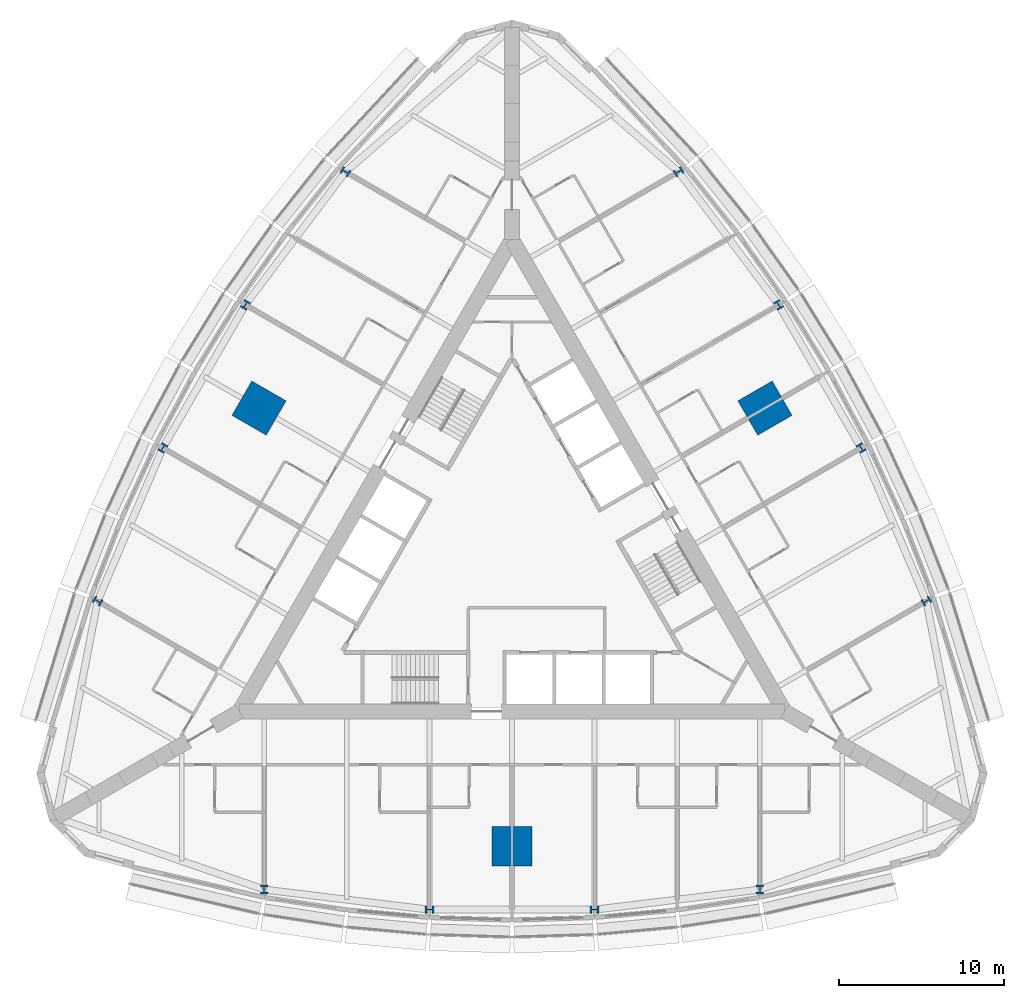
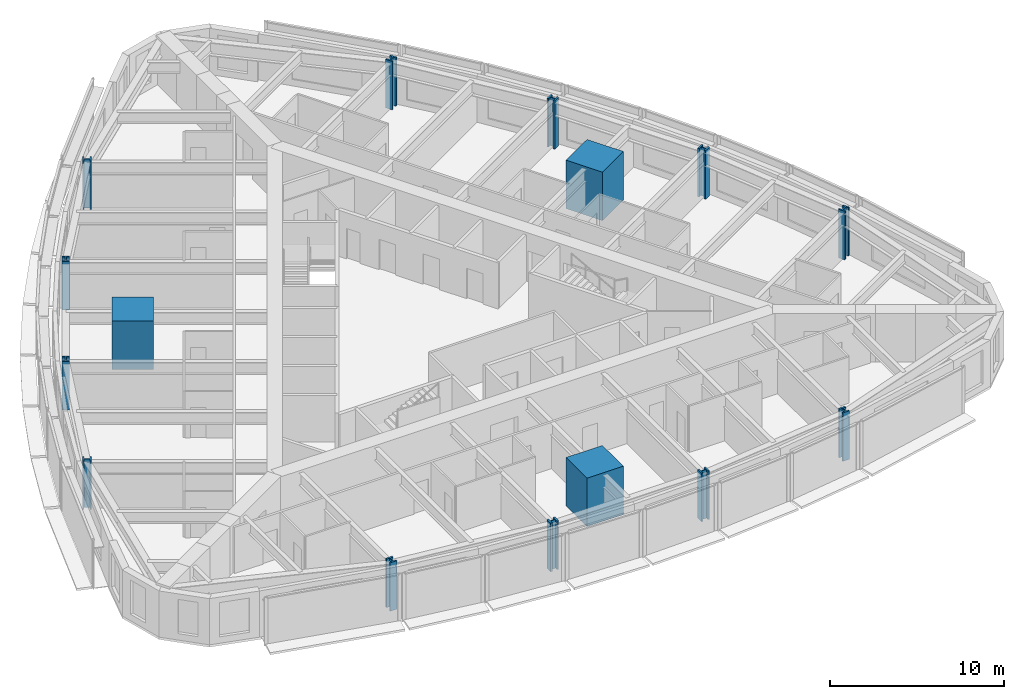
# One storey, part 1 of 14: 15 columns.
"""IFC4 building model written with IfcOpenShell, lengths in metres."""

import ifcopenshell
import ifcopenshell.guid

model = None  # the IFC model being written
_history = None  # IfcOwnerHistory: only IFC2X3 demands one
_inside = {}  # id of a spatial element -> (the spatial element, [elements in it])
_under = {}  # id of a project, library or spatial element -> (it, [spatial elements below it])
_declared = {}  # id of a project -> (the project, [libraries it declares])
_typed = {}  # id of a type object -> (the type object, [elements of that type])
_made_of = {}  # id of a material, layer set ... -> (it, [elements and type objects made of it])


def new_model(schema):
    """Start an empty IFC model of exactly this schema.

    Asked for "IFC4X3", IfcOpenShell would pick the latest addendum, in which some entities
    have other attributes; the version numbers below select the first issue.
    IFC2X3 requires an IfcOwnerHistory on every rooted entity: one is made here for all.
    """
    global model, _history
    if schema == "IFC4X3":
        model = ifcopenshell.file(schema_version=(4, 3, 0, 0))
    else:
        model = ifcopenshell.file(schema=schema)
    _inside.clear()
    _under.clear()
    _declared.clear()
    _typed.clear()
    _made_of.clear()
    _history = None
    if model.schema == "IFC2X3":
        org = make("IfcOrganization", Name="unknown")
        user = make(
            "IfcPersonAndOrganization",
            ThePerson=make("IfcPerson", FamilyName="unknown"),
            TheOrganization=org,
        )
        app = make(
            "IfcApplication",
            ApplicationDeveloper=org,
            Version="unknown",
            ApplicationFullName="unknown",
            ApplicationIdentifier="unknown",
        )
        _history = make(
            "IfcOwnerHistory",
            OwningUser=user,
            OwningApplication=app,
            ChangeAction="ADDED",
            CreationDate=0,
        )
    return model


def make(cls, **values):
    """One entity of the class cls with the attributes given. An attribute that is None is left unset."""
    return model.create_entity(
        cls, **{name: value for name, value in values.items() if value is not None}
    )


def rooted(cls, **values):
    """An entity with a GlobalId (a new one), such as an element, a storey or a relation."""
    return make(cls, GlobalId=ifcopenshell.guid.new(), OwnerHistory=_history, **values)


def si_unit(unit_type, name, prefix=None):
    """IfcSIUnit, for example si_unit("LENGTHUNIT", "METRE", prefix="MILLI")."""
    return make("IfcSIUnit", UnitType=unit_type, Prefix=prefix, Name=name)


def assignment(units):
    """IfcUnitAssignment: the units of a project."""
    return None if units is None else make("IfcUnitAssignment", Units=units)


def point(xyz):
    """IfcCartesianPoint."""
    return None if xyz is None else make("IfcCartesianPoint", Coordinates=xyz)


def direction(xyz):
    """IfcDirection."""
    return None if xyz is None else make("IfcDirection", DirectionRatios=xyz)


def frame(location, z_axis=None, x_axis=None):
    """IfcAxis2Placement3D, a coordinate frame: its origin and axes. An axis left out is left unset."""
    return make(
        "IfcAxis2Placement3D",
        Location=point(location),
        Axis=direction(z_axis),
        RefDirection=direction(x_axis),
    )


def frame_2d(location, x_axis=None):
    """IfcAxis2Placement2D, a coordinate frame in the plane: its origin and x axis."""
    return make(
        "IfcAxis2Placement2D", Location=point(location), RefDirection=direction(x_axis)
    )


def origin():
    """The frame at (0, 0, 0) with its axes left unset."""
    return frame((0.0, 0.0, 0.0))


def origin_2d():
    """The frame at (0, 0) in the plane with its x axis left unset."""
    return frame_2d((0.0, 0.0))


def place(relative_to, where):
    """IfcLocalPlacement: puts the frame where relative to a parent placement (None: the world)."""
    return make(
        "IfcLocalPlacement", PlacementRelTo=relative_to, RelativePlacement=where
    )


def context(
    kind, dimensions, precision=None, world=None, true_north=None, identifier=None
):
    """IfcGeometricRepresentationContext, for example the 3D "Model" context."""
    return make(
        "IfcGeometricRepresentationContext",
        ContextIdentifier=identifier,
        ContextType=kind,
        CoordinateSpaceDimension=dimensions,
        Precision=precision,
        WorldCoordinateSystem=world,
        TrueNorth=true_north,
    )


def subcontext(parent, identifier, kind, view, scale=None):
    """IfcGeometricRepresentationSubContext, for example "Body" below "Model"."""
    return make(
        "IfcGeometricRepresentationSubContext",
        ContextIdentifier=identifier,
        ContextType=kind,
        ParentContext=parent,
        TargetScale=scale,
        TargetView=view,
    )


def project(units=None, contexts=None):
    """IfcProject with its units and contexts."""
    return rooted(
        "IfcProject",
        Name="project",
        RepresentationContexts=contexts,
        UnitsInContext=assignment(units),
    )


def spatial(cls, under=None, at=None, **own):
    """A site, building, storey or space (cls), placed at a placement, below another one or the project."""
    s = rooted(cls, ObjectPlacement=at, **own)
    if under is not None:
        _under.setdefault(under.id(), (under, []))[1].append(s)
    return s


def profile(cls, at=None, kind="AREA", **sizes):
    """A parametric profile (cls). Its sizes go by their IFC names, for example OverallWidth=200.0."""
    return make(cls, ProfileType=kind, Position=at, **sizes)


def rectangle(**sizes):
    """IfcRectangleProfileDef."""
    return profile("IfcRectangleProfileDef", **sizes)


def i_section(**sizes):
    """IfcIShapeProfileDef."""
    return profile("IfcIShapeProfileDef", **sizes)


def extrude(swept, where, along, depth):
    """IfcExtrudedAreaSolid: the profile swept, set in the frame where, extruded along a direction by depth."""
    return make(
        "IfcExtrudedAreaSolid",
        SweptArea=swept,
        Position=where,
        ExtrudedDirection=direction(along),
        Depth=depth,
    )


def shape(context_of_items, identifier, shape_type, items):
    """IfcShapeRepresentation: the items that make up one representation, for example the "Body"."""
    return make(
        "IfcShapeRepresentation",
        ContextOfItems=context_of_items,
        RepresentationIdentifier=identifier,
        RepresentationType=shape_type,
        Items=items,
    )


def material(Name=None, Category=None):
    """IfcMaterial."""
    return make("IfcMaterial", Name=Name, Category=Category)


def material_profile(
    of_material, cross_section, Name=None, Category=None, Priority=None
):
    """IfcMaterialProfile: a cross section and its material."""
    return make(
        "IfcMaterialProfile",
        Name=Name,
        Material=of_material,
        Profile=cross_section,
        Priority=Priority,
        Category=Category,
    )


def profile_set(profiles, Name=None, composite=None):
    """IfcMaterialProfileSet."""
    return make(
        "IfcMaterialProfileSet",
        Name=Name,
        MaterialProfiles=profiles,
        CompositeProfile=composite,
    )


def made_of(thing, what):
    """Note that an element or type object is made of a material, layer set ...; save() writes the relation."""
    if what is not None:
        _made_of.setdefault(what.id(), (what, []))[1].append(thing)
    return thing


def type_object(cls, material=None, **own):
    """A type object (cls), such as IfcWallType, which elements share."""
    return made_of(rooted(cls, **own), material)


def element(
    cls,
    number,
    at=None,
    inside=None,
    cuts=None,
    type_object=None,
    material=None,
    context=None,
    identifier="Body",
    shape_type=None,
    held_by="IfcProductDefinitionShape",
    body=None,
    shapes=None,
    **own,
):
    """One element of the class cls, such as IfcWall. Its Tag is "e" and its number.

    at: its placement. inside: the storey or other place that contains it. cuts: it is an
    opening in that element (IfcRelVoidsElement). A single representation is given by context,
    identifier, shape_type and body (its items); several are given by shapes. held_by: the class
    of the entity that holds the representations. save() writes the other relations.
    """
    e = rooted(cls, Tag="e%d" % number, ObjectPlacement=at, **own)
    if body is not None:
        shapes = [shape(context, identifier, shape_type, body)]
    if shapes is not None:
        e.Representation = make(held_by, Representations=shapes)
    if inside is not None:
        _inside.setdefault(inside.id(), (inside, []))[1].append(e)
    if cuts is not None:
        rooted(
            "IfcRelVoidsElement", RelatingBuildingElement=cuts, RelatedOpeningElement=e
        )
    if type_object is not None:
        _typed.setdefault(type_object.id(), (type_object, []))[1].append(e)
    return made_of(e, material)


def aggregate(whole, parts):
    """IfcRelAggregates: a whole, such as a stair, and the parts it consists of."""
    return rooted("IfcRelAggregates", RelatingObject=whole, RelatedObjects=parts)


def save(model, path):
    """Write the relations noted so far, then the file.

    IfcRelAggregates (storeys below a building ...), IfcRelContainedInSpatialStructure (elements
    in a storey), IfcRelDefinesByType, IfcRelAssociatesMaterial and IfcRelDeclares: one each for
    every whole, place, type object, material and project.
    """
    for whole, parts in _under.values():
        aggregate(whole, parts)
    for where, things in _inside.values():
        rooted(
            "IfcRelContainedInSpatialStructure",
            RelatedElements=things,
            RelatingStructure=where,
        )
    for kind, things in _typed.values():
        rooted("IfcRelDefinesByType", RelatedObjects=things, RelatingType=kind)
    for what, things in _made_of.values():
        rooted("IfcRelAssociatesMaterial", RelatedObjects=things, RelatingMaterial=what)
    for by, libraries in _declared.values():
        rooted("IfcRelDeclares", RelatingContext=by, RelatedDefinitions=libraries)
    model.write(path)


model = new_model("IFC4")

# Units and contexts
model_context = context("Model", 3, precision=1e-05, world=origin(), true_north=direction((0.0, 1.0)))
body_context = subcontext(model_context, "Body", "Model", "MODEL_VIEW")
ifc_project = project(units=[si_unit("LENGTHUNIT", "METRE"), si_unit("AREAUNIT", "SQUARE_METRE"), si_unit("VOLUMEUNIT", "CUBIC_METRE"), si_unit("PLANEANGLEUNIT", "RADIAN"), si_unit("MASSUNIT", "GRAM", prefix="KILO")], contexts=[model_context])

# Site, building, storey
site_placement = place(None, origin())
site = spatial("IfcSite", under=ifc_project, at=site_placement, CompositionType="ELEMENT")
building_placement = place(site_placement, origin())
building = spatial("IfcBuilding", under=site, at=building_placement, Name="Trikona Tower", CompositionType="ELEMENT")
storey_placement = place(building_placement, frame((0.0, 0.0, 89.699951171875)))
storey = spatial("IfcBuildingStorey", under=building, at=storey_placement, Name="L23", CompositionType="ELEMENT", Elevation=89.699951171875)

# Columns
ifc_material_1 = material(Name="Concrete f'c 10000 psi with encased steel section", Category="concrete")
ifc_material_profile_1 = material_profile(ifc_material_1, rectangle(XDim=2.39990234375, YDim=2.39990234375, at=origin_2d()), Name="MC2400")
ifc_profile_set_1 = profile_set([ifc_material_profile_1], Name="Concrete f'c 10000 psi with encased steel section")
column_type_1 = type_object("IfcColumnType", Name="Composite mega column 2400x2400", PredefinedType="COLUMN", material=ifc_profile_set_1)
for number, where, z_axis, x_axis, name in (
    (1, (0.0, -17.680419921875, 0.0), (0.0, 0.0, 1.0), (0.0, -1.0, 0.0), "Mega column MC1"),
    (2, (15.311767578125, 8.84033203125, 0.0), (0.0, 0.0, 1.0), (0.866025403784, 0.5, 0.0), "Mega column MC2"),
    (3, (-15.311767578125, 8.84033203125, 0.0), (0.0, 0.0, 1.0), (-0.866025403784, 0.5, 0.0), "Mega column MC3"),
):
    element("IfcColumn", number, at=place(storey_placement, frame(where, z_axis=z_axis, x_axis=x_axis)), inside=storey, type_object=column_type_1, Name=name, PredefinedType="COLUMN", context=body_context, shape_type="SweptSolid", body=[
        extrude(rectangle(XDim=2.39990234375, YDim=2.39990234375, at=origin_2d()), origin(), (0.0, 0.0, 1.0), 3.400146484375),
    ])
ifc_material_2 = material(Name="Steel ASTM A992 Grade 50", Category="steel")
ifc_material_profile_2 = material_profile(ifc_material_2, i_section(OverallWidth=0.44189453125, OverallDepth=0.53076171875, WebThickness=0.06591796875, FlangeThickness=0.105712890625, at=origin_2d()), Name="W14X605")
ifc_profile_set_2 = profile_set([ifc_material_profile_2], Name="Steel ASTM A992 Grade 50")
column_type_2 = type_object("IfcColumnType", Name="Steel column W14x605", PredefinedType="COLUMN", material=ifc_profile_set_2)
for number, where, z_axis, x_axis, name in (
    (4, (-15.0, -20.302978515625, 0.0), (0.0, 0.0, 1.0), (1.0, 0.0, 0.0), "Column F0m15"),
    (5, (-5.0, -21.5205078125, 0.0), (0.0, 0.0, 1.0), (0.0, -1.0, 0.0), "Column F0m5"),
    (6, (5.0, -21.5205078125, 0.0), (0.0, 0.0, 1.0), (0.0, -1.0, 0.0), "Column F0p5"),
    (7, (15.0, -20.302978515625, 0.0), (0.0, 0.0, 1.0), (1.0, 0.0, 0.0), "Column F0p15"),
    (8, (25.0830078125, -2.8388671875, 0.0), (0.0, 0.0, 1.0), (-0.5, 0.866025403784, 0.0), "Column F1m15"),
    (9, (21.13720703125, 6.43017578125, 0.0), (0.0, 0.0, 1.0), (0.866025403784, 0.5, 0.0), "Column F1m5"),
    (10, (16.13720703125, 15.09033203125, 0.0), (0.0, 0.0, 1.0), (0.866025403784, 0.5, 0.0), "Column F1p5"),
    (11, (10.0830078125, 23.141845703125, 0.0), (0.0, 0.0, 1.0), (-0.5, 0.866025403784, 0.0), "Column F1p15"),
    (12, (-10.0830078125, 23.141845703125, 0.0), (0.0, 0.0, 1.0), (-0.5, -0.866025403784, 0.0), "Column F2m15"),
    (13, (-16.13720703125, 15.09033203125, 0.0), (0.0, 0.0, 1.0), (-0.866025403784, 0.5, 0.0), "Column F2m5"),
    (14, (-21.13720703125, 6.43017578125, 0.0), (0.0, 0.0, 1.0), (-0.866025403784, 0.5, 0.0), "Column F2p5"),
    (15, (-25.0830078125, -2.8388671875, 0.0), (0.0, 0.0, 1.0), (-0.5, -0.866025403784, 0.0), "Column F2p15"),
):
    element("IfcColumn", number, at=place(storey_placement, frame(where, z_axis=z_axis, x_axis=x_axis)), inside=storey, type_object=column_type_2, Name=name, PredefinedType="COLUMN", context=body_context, shape_type="SweptSolid", body=[
        extrude(i_section(OverallWidth=0.44189453125, OverallDepth=0.53076171875, WebThickness=0.06591796875, FlangeThickness=0.105712890625, at=origin_2d()), origin(), (0.0, 0.0, 1.0), 3.400146484375),
    ])

save(model, "model.ifc")
